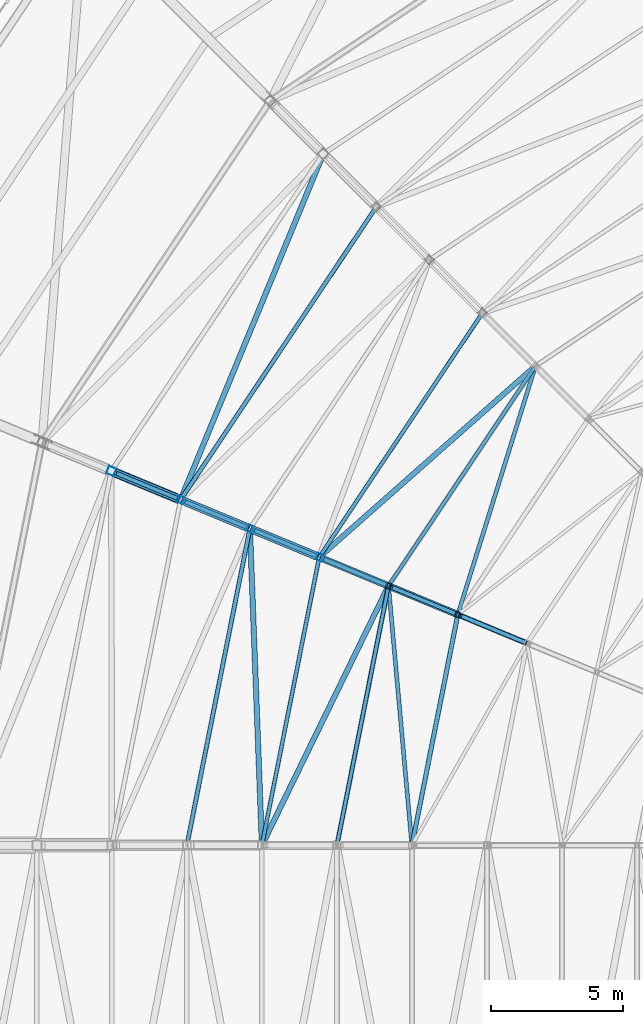
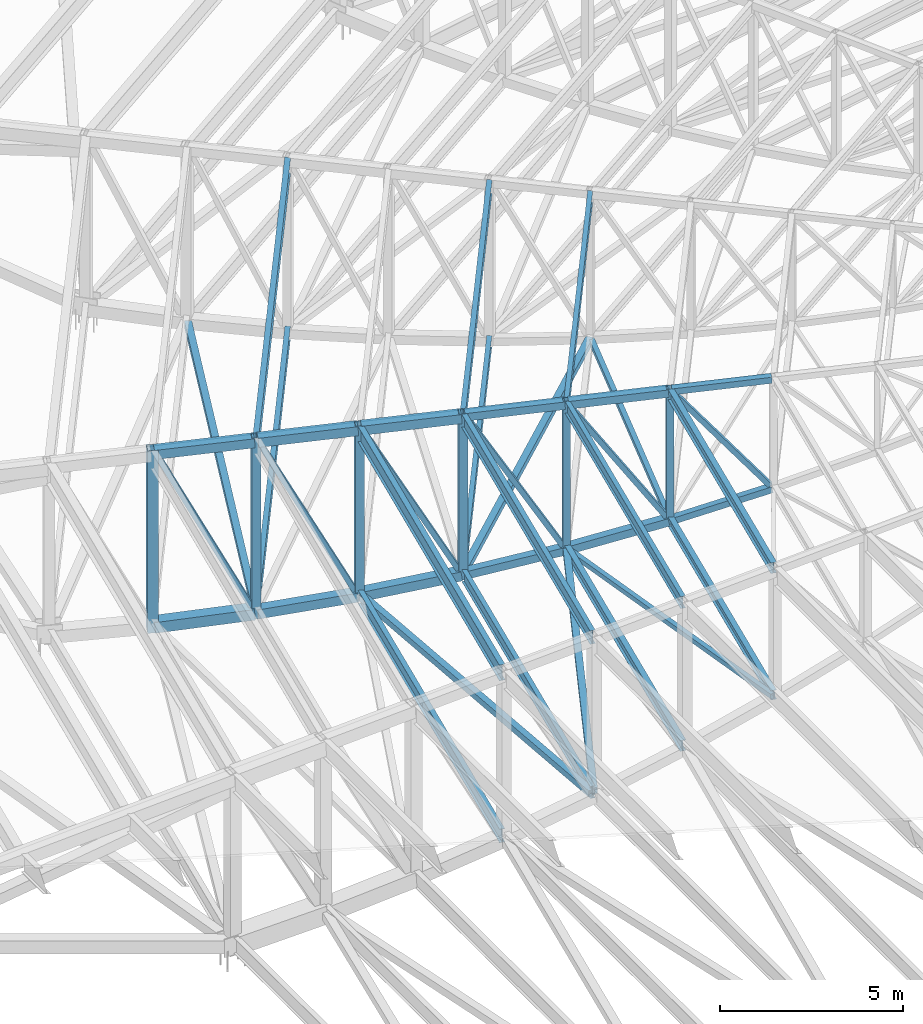
# One storey, part 68 of 278: 25 members, 18 beams.
"""IFC4 building model written with IfcOpenShell, lengths in metres."""

from ifc_helpers import new_model, si_unit, direction, frame, origin, origin_2d, place, context, subcontext, project, spatial, hollow_rectangle, i_section, extrude, material, material_profile, profile_set, type_object, element, save


model = new_model("IFC4")

# Units and contexts
model_context = context("Model", 3, precision=1e-05, world=origin(), true_north=direction((0.0, 1.0)))
body_context = subcontext(model_context, "Body", "Model", "MODEL_VIEW")
ifc_project = project(units=[si_unit("LENGTHUNIT", "METRE"), si_unit("AREAUNIT", "SQUARE_METRE"), si_unit("VOLUMEUNIT", "CUBIC_METRE"), si_unit("PLANEANGLEUNIT", "RADIAN"), si_unit("MASSUNIT", "GRAM", prefix="KILO")], contexts=[model_context])

# Site, building, storey
site_placement = place(None, origin())
site = spatial("IfcSite", under=ifc_project, at=site_placement, CompositionType="ELEMENT")
building_placement = place(site_placement, origin())
building = spatial("IfcBuilding", under=site, at=building_placement, Name="Ogive Plaza Stadium", CompositionType="ELEMENT")
storey_placement = place(building_placement, frame((0.0, 0.0, 29.0)))
storey = spatial("IfcBuildingStorey", under=building, at=storey_placement, Name="Roof", CompositionType="ELEMENT", Elevation=29.0)

# Members
ifc_material_1 = material(Name="Steel ASTM A500 Grade C", Category="steel")
ifc_material_profile_1 = material_profile(ifc_material_1, hollow_rectangle(XDim=0.15234375, YDim=0.15234375, WallThickness=0.005859375, at=origin_2d()), Name="HSS6X6X1/4")
ifc_profile_set_1 = profile_set([ifc_material_profile_1], Name="Steel ASTM A500 Grade C")
member_type_1 = type_object("IfcMemberType", Name="Roof plan brace HSS6X6X1/4", PredefinedType="BRACE", material=ifc_profile_set_1)
member_1_placement = place(storey_placement, frame((-56.909423828125, 52.60400390625, 2.4326171875), z_axis=(-0.089721773876, 0.993414799326, -0.071253349206), x_axis=(-0.995946245829, -0.089950405331, 0.0)))
element("IfcMember", 1, at=member_1_placement, inside=storey, type_object=member_type_1, Name="ROOF BRACE B28 5", PredefinedType="BRACE", context=body_context, shape_type="SweptSolid", body=[
    extrude(hollow_rectangle(XDim=0.15234375, YDim=0.15234375, WallThickness=0.005859375, at=origin_2d()), origin(), (0.0, 0.0, 1.0), 9.689697265625),
])
member_2_placement = place(storey_placement, frame((-55.13330078125, 61.3388671875, 2.434326171875), z_axis=(0.297280996197, 0.952128458571, -0.071241895538), x_axis=(-0.954553915167, 0.29803829123, 0.0)))
element("IfcMember", 2, at=member_2_placement, inside=storey, type_object=member_type_1, Name="ROOF BRACE B29 5", PredefinedType="BRACE", context=body_context, shape_type="SweptSolid", body=[
    extrude(hollow_rectangle(XDim=0.15234375, YDim=0.15234375, WallThickness=0.005859375, at=origin_2d()), origin(), (0.0, 0.0, 1.0), 9.71533203125),
])
ifc_material_2 = material(Name="Steel ASTM A500 Grade C", Category="steel")
ifc_material_profile_2 = material_profile(ifc_material_2, hollow_rectangle(XDim=0.203125, YDim=0.203125, WallThickness=0.0087890625, at=origin_2d()), Name="HSS8X8X3/8")
ifc_profile_set_2 = profile_set([ifc_material_profile_2], Name="Steel ASTM A500 Grade C")
member_type_2 = type_object("IfcMemberType", Name="Roof plan brace HSS8X8X3/8", PredefinedType="BRACE", material=ifc_profile_set_2)
member_3_placement = place(storey_placement, frame((-57.82421875, 62.283935546875, 1.729248046875), z_axis=(-0.438102005766, -0.89751424852, -0.050346859366), x_axis=(0.89865392799, -0.438658315443, 0.0)))
element("IfcMember", 3, at=member_3_placement, inside=storey, type_object=member_type_2, Name="ROOF BRACE B28 6", PredefinedType="BRACE", context=body_context, shape_type="SweptSolid", body=[
    extrude(hollow_rectangle(XDim=0.203125, YDim=0.203125, WallThickness=0.0087890625, at=origin_2d()), origin(), (0.0, 0.0, 1.0), 10.7119140625),
])
member_4_placement = place(storey_placement, frame((-62.604736328125, 52.626220703125, 1.17578125), z_axis=(-0.037835948464, 0.998586929303, -0.037317363644), x_axis=(-0.999282965258, -0.03786232091, 0.0)))
element("IfcMember", 4, at=member_4_placement, inside=storey, type_object=member_type_2, Name="ROOF BRACE B28 7", PredefinedType="BRACE", context=body_context, shape_type="SweptSolid", body=[
    extrude(hollow_rectangle(XDim=0.203125, YDim=0.203125, WallThickness=0.0087890625, at=origin_2d()), origin(), (0.0, 0.0, 1.0), 11.76953125),
])
member_5_placement = place(storey_placement, frame((-52.266357421875, 70.65625, 1.729248046875), z_axis=(-0.748227023619, -0.661529433752, -0.050350068578), x_axis=(0.662369562827, -0.74917725689, 0.0)))
element("IfcMember", 5, at=member_5_placement, inside=storey, type_object=member_type_2, Name="ROOF BRACE B29 6", PredefinedType="BRACE", context=body_context, shape_type="SweptSolid", body=[
    extrude(hollow_rectangle(XDim=0.203125, YDim=0.203125, WallThickness=0.0087890625, at=origin_2d()), origin(), (0.0, 0.0, 1.0), 10.740234375),
])
member_6_placement = place(storey_placement, frame((-65.652099609375, 65.7158203125, 0.43359375), z_axis=(0.381221848811, 0.924408703201, -0.011766538784), x_axis=(-0.924472702703, 0.381248241907, 0.0)))
element("IfcMember", 6, at=member_6_placement, inside=storey, type_object=member_type_2, Name="ROOF BRACE B29 9", PredefinedType="BRACE", context=body_context, shape_type="SweptSolid", body=[
    extrude(hollow_rectangle(XDim=0.203125, YDim=0.203125, WallThickness=0.0087890625, at=origin_2d()), origin(), (0.0, 0.0, 1.0), 13.943115234375),
])
ifc_material_3 = material(Name="Steel ASTM A992 Grade 50", Category="steel")
ifc_material_profile_3 = material_profile(ifc_material_3, i_section(OverallWidth=0.164794921875, OverallDepth=0.310302734375, WebThickness=0.005859375, FlangeThickness=0.009765625, at=origin_2d()), Name="W12X26")
ifc_profile_set_3 = profile_set([ifc_material_profile_3], Name="Steel ASTM A992 Grade 50")
member_type_3 = type_object("IfcMemberType", Name="Roof plan strut W12X26", PredefinedType="STRUT", material=ifc_profile_set_3)
member_7_placement = place(storey_placement, frame((-56.87744140625, 52.61376953125, 2.43994140625), z_axis=(0.195104879523, 0.980782384623, 0.0), x_axis=(-0.980782384623, 0.195104879523, 0.0)))
element("IfcMember", 7, at=member_7_placement, inside=storey, type_object=member_type_3, Name="ROOF STRUT B28 4", PredefinedType="STRUT", context=body_context, shape_type="SweptSolid", body=[
    extrude(i_section(OverallWidth=0.164794921875, OverallDepth=0.310302734375, WebThickness=0.005859375, FlangeThickness=0.009765625, at=origin_2d()), origin(), (0.0, 0.0, 1.0), 8.729248046875),
])
ifc_material_4 = material(Name="Steel ASTM A992 Grade 50", Category="steel")
ifc_material_profile_4 = material_profile(ifc_material_4, i_section(OverallWidth=0.17138671875, OverallDepth=0.35498046875, WebThickness=0.00732421875, FlangeThickness=0.011474609375, at=origin_2d()), Name="W14X34")
ifc_profile_set_4 = profile_set([ifc_material_profile_4], Name="Steel ASTM A992 Grade 50")
member_type_4 = type_object("IfcMemberType", Name="Roof plan strut W14X34", PredefinedType="STRUT", material=ifc_profile_set_4)
member_8_placement = place(storey_placement, frame((-59.72216796875, 52.6396484375, 1.733154296875), z_axis=(0.19508268848, 0.980786798777, 0.0), x_axis=(-0.980786798777, 0.19508268848, 0.0)))
element("IfcMember", 8, at=member_8_placement, inside=storey, type_object=member_type_4, Name="ROOF STRUT B28 5", PredefinedType="STRUT", context=body_context, shape_type="SweptSolid", body=[
    extrude(i_section(OverallWidth=0.17138671875, OverallDepth=0.35498046875, WebThickness=0.00732421875, FlangeThickness=0.011474609375, at=origin_2d()), origin(), (0.0, 0.0, 1.0), 9.81396484375),
])
ifc_material_5 = material(Name="Steel ASTM A992 Grade 50", Category="steel")
ifc_material_profile_5 = material_profile(ifc_material_5, i_section(OverallWidth=0.140380859375, OverallDepth=0.4033203125, WebThickness=0.007080078125, FlangeThickness=0.01123046875, at=origin_2d()), Name="W16X31")
ifc_profile_set_5 = profile_set([ifc_material_profile_5], Name="Steel ASTM A992 Grade 50")
member_type_5 = type_object("IfcMemberType", Name="Roof plan strut W16X31", PredefinedType="STRUT", material=ifc_profile_set_5)
member_9_placement = place(storey_placement, frame((-62.57275390625, 52.63671875, 1.180419921875), z_axis=(0.195087168164, 0.980785907738, 0.0), x_axis=(-0.980785907738, 0.195087168164, 0.0)))
element("IfcMember", 9, at=member_9_placement, inside=storey, type_object=member_type_5, Name="ROOF STRUT B28 6", PredefinedType="STRUT", context=body_context, shape_type="SweptSolid", body=[
    extrude(i_section(OverallWidth=0.140380859375, OverallDepth=0.4033203125, WebThickness=0.007080078125, FlangeThickness=0.01123046875, at=origin_2d()), origin(), (0.0, 0.0, 1.0), 10.90625),
])
member_10_placement = place(storey_placement, frame((-60.35986328125, 63.5390625, 1.180419921875), z_axis=(0.555560551847, 0.831476080974, 0.0), x_axis=(-0.831476080974, 0.555560551847, 0.0)))
element("IfcMember", 10, at=member_10_placement, inside=storey, type_object=member_type_5, Name="ROOF STRUT B29 6", PredefinedType="STRUT", context=body_context, shape_type="SweptSolid", body=[
    extrude(i_section(OverallWidth=0.140380859375, OverallDepth=0.4033203125, WebThickness=0.007080078125, FlangeThickness=0.01123046875, at=origin_2d()), origin(), (0.0, 0.0, 1.0), 10.93212890625),
])
ifc_material_6 = material(Name="Steel ASTM A992 Grade 50", Category="steel")
ifc_material_profile_6 = material_profile(ifc_material_6, i_section(OverallWidth=0.15234375, OverallDepth=0.449462890625, WebThickness=0.007568359375, FlangeThickness=0.0107421875, at=origin_2d()), Name="W18X35")
ifc_profile_set_6 = profile_set([ifc_material_profile_6], Name="Steel ASTM A992 Grade 50")
member_type_6 = type_object("IfcMemberType", Name="Roof plan strut W18X35", PredefinedType="STRUT", material=ifc_profile_set_6)
member_11_placement = place(storey_placement, frame((-65.422607421875, 52.637939453125, 0.730712890625), z_axis=(0.195096207281, 0.980784109733, 0.0), x_axis=(-0.980784109733, 0.195096207281, 0.0)))
element("IfcMember", 11, at=member_11_placement, inside=storey, type_object=member_type_6, Name="ROOF STRUT B28 7", PredefinedType="STRUT", context=body_context, shape_type="SweptSolid", body=[
    extrude(i_section(OverallWidth=0.15234375, OverallDepth=0.449462890625, WebThickness=0.007568359375, FlangeThickness=0.0107421875, at=origin_2d()), origin(), (0.0, 0.0, 1.0), 12.015869140625),
])
member_12_placement = place(storey_placement, frame((-65.62548828125, 65.721435546875, 0.434814453125), z_axis=(0.555582209578, 0.831461609697, 0.0), x_axis=(-0.831461609697, 0.555582209578, 0.0)))
element("IfcMember", 12, at=member_12_placement, inside=storey, type_object=member_type_6, Name="ROOF STRUT B29 8", PredefinedType="STRUT", context=body_context, shape_type="SweptSolid", body=[
    extrude(i_section(OverallWidth=0.15234375, OverallDepth=0.449462890625, WebThickness=0.007568359375, FlangeThickness=0.0107421875, at=origin_2d()), origin(), (0.0, 0.0, 1.0), 13.154052734375),
])
ifc_material_7 = material(Name="Steel ASTM A992 Grade 50", Category="steel")
ifc_material_profile_7 = material_profile(ifc_material_7, i_section(OverallWidth=0.17138671875, OverallDepth=0.35498046875, WebThickness=0.00732421875, FlangeThickness=0.011474609375, at=origin_2d()), Name="W14X34")
ifc_profile_set_7 = profile_set([ifc_material_profile_7], Name="Steel ASTM A992 Grade 50")
member_type_7 = type_object("IfcMemberType", Name="Roof purlin W14X34", PredefinedType="PURLIN", material=ifc_profile_set_7)
member_13_placement = place(storey_placement, frame((-56.877197265625, 52.6142578125, 6.677490234375), z_axis=(0.195077827826, 0.980787765569, 0.0), x_axis=(-0.980787765569, 0.195077827826, 0.0)))
element("IfcMember", 13, at=member_13_placement, inside=storey, type_object=member_type_7, Name="ROOF PURLIN B28 4", PredefinedType="PURLIN", context=body_context, shape_type="SweptSolid", body=[
    extrude(i_section(OverallWidth=0.17138671875, OverallDepth=0.35498046875, WebThickness=0.00732421875, FlangeThickness=0.011474609375, at=origin_2d()), origin(), (0.0, 0.0, 1.0), 8.72802734375),
])
ifc_material_8 = material(Name="Steel ASTM A992 Grade 50", Category="steel")
ifc_material_profile_8 = material_profile(ifc_material_8, i_section(OverallWidth=0.140380859375, OverallDepth=0.4033203125, WebThickness=0.007080078125, FlangeThickness=0.01123046875, at=origin_2d()), Name="W16X31")
ifc_profile_set_8 = profile_set([ifc_material_profile_8], Name="Steel ASTM A992 Grade 50")
member_type_8 = type_object("IfcMemberType", Name="Roof purlin W16X31", PredefinedType="PURLIN", material=ifc_profile_set_8)
member_14_placement = place(storey_placement, frame((-59.722900390625, 52.63671875, 6.5107421875), z_axis=(0.195107258144, 0.980781911446, 0.0), x_axis=(-0.980781911446, 0.195107258144, 0.0)))
element("IfcMember", 14, at=member_14_placement, inside=storey, type_object=member_type_8, Name="ROOF PURLIN B28 5", PredefinedType="PURLIN", context=body_context, shape_type="SweptSolid", body=[
    extrude(i_section(OverallWidth=0.140380859375, OverallDepth=0.4033203125, WebThickness=0.007080078125, FlangeThickness=0.01123046875, at=origin_2d()), origin(), (0.0, 0.0, 1.0), 9.8203125),
])
member_15_placement = place(storey_placement, frame((-57.7412109375, 62.427001953125, 6.5107421875), z_axis=(0.555573071416, 0.831467715739, 0.0), x_axis=(-0.831467715739, 0.555573071416, 0.0)))
element("IfcMember", 15, at=member_15_placement, inside=storey, type_object=member_type_8, Name="ROOF PURLIN B29 5", PredefinedType="PURLIN", context=body_context, shape_type="SweptSolid", body=[
    extrude(i_section(OverallWidth=0.140380859375, OverallDepth=0.4033203125, WebThickness=0.007080078125, FlangeThickness=0.01123046875, at=origin_2d()), origin(), (0.0, 0.0, 1.0), 9.8720703125),
])
ifc_material_9 = material(Name="Steel ASTM A992 Grade 50", Category="steel")
ifc_material_profile_9 = material_profile(ifc_material_9, i_section(OverallWidth=0.15234375, OverallDepth=0.449462890625, WebThickness=0.007568359375, FlangeThickness=0.0107421875, at=origin_2d()), Name="W18X35")
ifc_profile_set_9 = profile_set([ifc_material_profile_9], Name="Steel ASTM A992 Grade 50")
member_type_9 = type_object("IfcMemberType", Name="Roof purlin W18X35", PredefinedType="PURLIN", material=ifc_profile_set_9)
member_16_placement = place(storey_placement, frame((-62.572509765625, 52.637939453125, 6.34521484375), z_axis=(0.195086933188, 0.980785954477, 0.0), x_axis=(-0.980785954477, 0.195086933188, 0.0)))
element("IfcMember", 16, at=member_16_placement, inside=storey, type_object=member_type_9, Name="ROOF PURLIN B28 6", PredefinedType="PURLIN", context=body_context, shape_type="SweptSolid", body=[
    extrude(i_section(OverallWidth=0.15234375, OverallDepth=0.449462890625, WebThickness=0.007568359375, FlangeThickness=0.0107421875, at=origin_2d()), origin(), (0.0, 0.0, 1.0), 10.90380859375),
])
member_17_placement = place(storey_placement, frame((-60.359375, 63.5400390625, 6.34521484375), z_axis=(0.555581326448, 0.831462199803, 0.0), x_axis=(-0.831462199803, 0.555581326448, 0.0)))
element("IfcMember", 17, at=member_17_placement, inside=storey, type_object=member_type_9, Name="ROOF PURLIN B29 6", PredefinedType="PURLIN", context=body_context, shape_type="SweptSolid", body=[
    extrude(i_section(OverallWidth=0.15234375, OverallDepth=0.449462890625, WebThickness=0.007568359375, FlangeThickness=0.0107421875, at=origin_2d()), origin(), (0.0, 0.0, 1.0), 10.929931640625),
])
ifc_material_10 = material(Name="Steel ASTM A992 Grade 50", Category="steel")
ifc_material_profile_10 = material_profile(ifc_material_10, i_section(OverallWidth=0.1650390625, OverallDepth=0.524658203125, WebThickness=0.0087890625, FlangeThickness=0.011474609375, at=origin_2d()), Name="W21X44")
ifc_profile_set_10 = profile_set([ifc_material_profile_10], Name="Steel ASTM A992 Grade 50")
member_type_10 = type_object("IfcMemberType", Name="Roof purlin W21X44", PredefinedType="PURLIN", material=ifc_profile_set_10)
member_18_placement = place(storey_placement, frame((-65.42236328125, 52.63916015625, 6.1650390625), z_axis=(0.195095995879, 0.980784151785, 0.0), x_axis=(-0.980784151785, 0.195095995879, 0.0)))
element("IfcMember", 18, at=member_18_placement, inside=storey, type_object=member_type_10, Name="ROOF PURLIN B28 7", PredefinedType="PURLIN", context=body_context, shape_type="SweptSolid", body=[
    extrude(i_section(OverallWidth=0.1650390625, OverallDepth=0.524658203125, WebThickness=0.0087890625, FlangeThickness=0.011474609375, at=origin_2d()), origin(), (0.0, 0.0, 1.0), 12.013427734375),
])
member_19_placement = place(storey_placement, frame((-65.624755859375, 65.722412109375, 6.022705078125), z_axis=(0.555573811188, 0.831467221436, 0.0), x_axis=(-0.831467221436, 0.555573811188, 0.0)))
element("IfcMember", 19, at=member_19_placement, inside=storey, type_object=member_type_10, Name="ROOF PURLIN B29 8", PredefinedType="PURLIN", context=body_context, shape_type="SweptSolid", body=[
    extrude(i_section(OverallWidth=0.1650390625, OverallDepth=0.524658203125, WebThickness=0.0087890625, FlangeThickness=0.011474609375, at=origin_2d()), origin(), (0.0, 0.0, 1.0), 13.151611328125),
])

# Beams
ifc_material_11 = material(Name="Steel ASTM A500 Grade C", Category="steel")
ifc_material_profile_11 = material_profile(ifc_material_11, hollow_rectangle(XDim=0.25390625, YDim=0.25390625, WallThickness=0.01171875, at=origin_2d()), Name="HSS10X10X1/2")
ifc_profile_set_11 = profile_set([ifc_material_profile_11], Name="Steel ASTM A500 Grade C")
beam_type_1 = type_object("IfcBeamType", Name="Roof truss bottom chord HSS10X10X1/2", PredefinedType="BEAM", material=ifc_profile_set_11)
beam_1_placement = place(storey_placement, frame((-55.195556640625, 61.279541015625, 2.433349609375), z_axis=(-0.89673257633, 0.371439859665, -0.240630665544), x_axis=(-0.382684368678, -0.923879144677, 0.0)))
element("IfcBeam", 20, at=beam_1_placement, inside=storey, type_object=beam_type_1, Name="ROOF TRUSS T29 BOTTOM CHORD 5", PredefinedType="BEAM", context=body_context, shape_type="SweptSolid", body=[
    extrude(hollow_rectangle(XDim=0.25390625, YDim=0.25390625, WallThickness=0.01171875, at=origin_2d()), origin(), (0.0, 0.0, 1.0), 2.849853515625),
])
beam_2_placement = place(storey_placement, frame((-57.833251953125, 62.3720703125, 1.726318359375), z_axis=(-0.905437709043, 0.375020513968, -0.198852128843), x_axis=(-0.382662472935, -0.923888213913, 0.0)))
element("IfcBeam", 21, at=beam_2_placement, inside=storey, type_object=beam_type_1, Name="ROOF TRUSS T29 BOTTOM CHORD 6", PredefinedType="BEAM", context=body_context, shape_type="SweptSolid", body=[
    extrude(hollow_rectangle(XDim=0.25390625, YDim=0.25390625, WallThickness=0.01171875, at=origin_2d()), origin(), (0.0, 0.0, 1.0), 2.80908203125),
])
ifc_material_12 = material(Name="Steel ASTM A500 Grade C", Category="steel")
ifc_material_profile_12 = material_profile(ifc_material_12, hollow_rectangle(XDim=0.3046875, YDim=0.3046875, WallThickness=0.0146484375, at=origin_2d()), Name="HSS12X12X5/8")
ifc_profile_set_12 = profile_set([ifc_material_profile_12], Name="Steel ASTM A500 Grade C")
beam_type_2 = type_object("IfcBeamType", Name="Roof truss bottom chord HSS12X12X5/8", PredefinedType="BEAM", material=ifc_profile_set_12)
beam_3_placement = place(storey_placement, frame((-60.46923828125, 63.4638671875, 1.17431640625), z_axis=(-0.912570809119, 0.378060038258, -0.15583685641), x_axis=(-0.382735997737, -0.923857757469, 0.0)))
element("IfcBeam", 22, at=beam_3_placement, inside=storey, type_object=beam_type_2, Name="ROOF TRUSS T29 BOTTOM CHORD 7", PredefinedType="BEAM", context=body_context, shape_type="SweptSolid", body=[
    extrude(hollow_rectangle(XDim=0.3046875, YDim=0.3046875, WallThickness=0.0146484375, at=origin_2d()), origin(), (0.0, 0.0, 1.0), 2.783935546875),
])
beam_4_placement = place(storey_placement, frame((-63.102294921875, 64.554443359375, 0.72607421875), z_axis=(-0.918040635639, 0.380326079208, -0.112042245557), x_axis=(-0.382735997737, -0.923857757469, 0.0)))
element("IfcBeam", 23, at=beam_4_placement, inside=storey, type_object=beam_type_2, Name="ROOF TRUSS T29 BOTTOM CHORD 8", PredefinedType="BEAM", context=body_context, shape_type="SweptSolid", body=[
    extrude(hollow_rectangle(XDim=0.3046875, YDim=0.3046875, WallThickness=0.0146484375, at=origin_2d()), origin(), (0.0, 0.0, 1.0), 2.767333984375),
])
ifc_material_13 = material(Name="Steel ASTM A500 Grade C", Category="steel")
ifc_material_profile_13 = material_profile(ifc_material_13, hollow_rectangle(XDim=0.355712890625, YDim=0.355712890625, WallThickness=0.0146484375, at=origin_2d()), Name="HSS14X14X5/8")
ifc_profile_set_13 = profile_set([ifc_material_profile_13], Name="Steel ASTM A500 Grade C")
beam_type_3 = type_object("IfcBeamType", Name="Roof truss bottom chord HSS14X14X5/8", PredefinedType="BEAM", material=ifc_profile_set_13)
beam_5_placement = place(storey_placement, frame((-65.7353515625, 65.645263671875, 0.431884765625), z_axis=(-0.92178205255, 0.381787492455, -0.067499320012), x_axis=(-0.382660217904, -0.923889147914, 0.0)))
element("IfcBeam", 24, at=beam_5_placement, inside=storey, type_object=beam_type_3, Name="ROOF TRUSS T29 BOTTOM CHORD 9", PredefinedType="BEAM", context=body_context, shape_type="SweptSolid", body=[
    extrude(hollow_rectangle(XDim=0.355712890625, YDim=0.355712890625, WallThickness=0.0146484375, at=origin_2d()), origin(), (0.0, 0.0, 1.0), 2.756103515625),
])
ifc_material_14 = material(Name="Steel ASTM A500 Grade C", Category="steel")
ifc_material_profile_14 = material_profile(ifc_material_14, hollow_rectangle(XDim=0.203125, YDim=0.203125, WallThickness=0.01171875, at=origin_2d()), Name="HSS8X8X1/2")
ifc_profile_set_14 = profile_set([ifc_material_profile_14], Name="Steel ASTM A500 Grade C")
beam_type_4 = type_object("IfcBeamType", Name="Roof truss bottom chord HSS8X8X1/2", PredefinedType="BEAM", material=ifc_profile_set_14)
beam_6_placement = place(storey_placement, frame((-52.564697265625, 60.189697265625, 3.2412109375), z_axis=(-0.886574426433, 0.36727087962, -0.281243466376), x_axis=(-0.382718768474, -0.923864895024, 0.0)))
element("IfcBeam", 25, at=beam_6_placement, inside=storey, type_object=beam_type_4, Name="ROOF TRUSS T29 BOTTOM CHORD 4", PredefinedType="BEAM", context=body_context, shape_type="SweptSolid", body=[
    extrude(hollow_rectangle(XDim=0.203125, YDim=0.203125, WallThickness=0.01171875, at=origin_2d()), origin(), (0.0, 0.0, 1.0), 2.877685546875),
])

# Members
ifc_material_15 = material(Name="Steel ASTM A500 Grade C", Category="steel")
ifc_material_profile_15 = material_profile(ifc_material_15, hollow_rectangle(XDim=0.15234375, YDim=0.15234375, WallThickness=0.005859375, at=origin_2d()), Name="HSS6X6X1/4")
ifc_profile_set_15 = profile_set([ifc_material_profile_15], Name="Steel ASTM A500 Grade C")
member_type_11 = type_object("IfcMemberType", Name="Roof truss diagonal HSS6X6X1/4", PredefinedType="BRACE", material=ifc_profile_set_15)
member_20_placement = place(storey_placement, frame((-52.61767578125, 60.211669921875, 3.3515625), z_axis=(-0.578013230123, 0.239434593828, 0.780110108306), x_axis=(-0.382702088427, -0.923871804697, 0.0)))
element("IfcMember", 26, at=member_20_placement, inside=storey, type_object=member_type_11, Name="ROOF TRUSS T29 DIAGONAL 4", PredefinedType="BRACE", context=body_context, shape_type="SweptSolid", body=[
    extrude(hollow_rectangle(XDim=0.15234375, YDim=0.15234375, WallThickness=0.005859375, at=origin_2d()), origin(), (0.0, 0.0, 1.0), 4.23046875),
])
member_21_placement = place(storey_placement, frame((-55.250732421875, 61.30224609375, 2.56689453125), z_axis=(-0.519572207016, 0.215226146856, 0.826875097827), x_axis=(-0.382702088427, -0.923871804697, 0.0)))
element("IfcMember", 27, at=member_21_placement, inside=storey, type_object=member_type_11, Name="ROOF TRUSS T29 DIAGONAL 5", PredefinedType="BRACE", context=body_context, shape_type="SweptSolid", body=[
    extrude(hollow_rectangle(XDim=0.15234375, YDim=0.15234375, WallThickness=0.005859375, at=origin_2d()), origin(), (0.0, 0.0, 1.0), 4.706298828125),
])
ifc_material_16 = material(Name="Steel ASTM A500 Grade C", Category="steel")
ifc_material_profile_16 = material_profile(ifc_material_16, hollow_rectangle(XDim=0.15234375, YDim=0.15234375, WallThickness=0.0087890625, at=origin_2d()), Name="HSS6X6X3/8")
ifc_profile_set_16 = profile_set([ifc_material_profile_16], Name="Steel ASTM A500 Grade C")
member_type_12 = type_object("IfcMemberType", Name="Roof truss diagonal HSS6X6X3/8", PredefinedType="BRACE", material=ifc_profile_set_16)
member_22_placement = place(storey_placement, frame((-57.8837890625, 62.39306640625, 1.8603515625), z_axis=(-0.468491524227, 0.194055612203, 0.861892169067), x_axis=(-0.382683548526, -0.923879484396, 0.0)))
element("IfcMember", 28, at=member_22_placement, inside=storey, type_object=member_type_12, Name="ROOF TRUSS T29 DIAGONAL 6", PredefinedType="BRACE", context=body_context, shape_type="SweptSolid", body=[
    extrude(hollow_rectangle(XDim=0.15234375, YDim=0.15234375, WallThickness=0.0087890625, at=origin_2d()), origin(), (0.0, 0.0, 1.0), 5.16943359375),
])
member_23_placement = place(storey_placement, frame((-60.540283203125, 63.493408203125, 1.332763671875), z_axis=(-0.440218602007, 0.18233402805, 0.879182509302), x_axis=(-0.382664645806, -0.923887313935, 0.0)))
element("IfcMember", 29, at=member_23_placement, inside=storey, type_object=member_type_12, Name="ROOF TRUSS T29 DIAGONAL 7", PredefinedType="BRACE", context=body_context, shape_type="SweptSolid", body=[
    extrude(hollow_rectangle(XDim=0.15234375, YDim=0.15234375, WallThickness=0.0087890625, at=origin_2d()), origin(), (0.0, 0.0, 1.0), 5.4482421875),
])
member_24_placement = place(storey_placement, frame((-63.17333984375, 64.583984375, 0.883056640625), z_axis=(-0.419293904541, 0.17366723306, 0.891084908287), x_axis=(-0.382664645806, -0.923887313935, 0.0)))
element("IfcMember", 30, at=member_24_placement, inside=storey, type_object=member_type_12, Name="ROOF TRUSS T29 DIAGONAL 8", PredefinedType="BRACE", context=body_context, shape_type="SweptSolid", body=[
    extrude(hollow_rectangle(XDim=0.15234375, YDim=0.15234375, WallThickness=0.0087890625, at=origin_2d()), origin(), (0.0, 0.0, 1.0), 5.72021484375),
])
member_25_placement = place(storey_placement, frame((-65.806396484375, 65.674560546875, 0.612548828125), z_axis=(-0.407847472246, 0.168958194197, 0.897281208984), x_axis=(-0.382726432205, -0.923861720222, 0.0)))
element("IfcMember", 31, at=member_25_placement, inside=storey, type_object=member_type_12, Name="ROOF TRUSS T29 DIAGONAL 9", PredefinedType="BRACE", context=body_context, shape_type="SweptSolid", body=[
    extrude(hollow_rectangle(XDim=0.15234375, YDim=0.15234375, WallThickness=0.0087890625, at=origin_2d()), origin(), (0.0, 0.0, 1.0), 5.8232421875),
])

# Beams
ifc_material_17 = material(Name="Steel ASTM A500 Grade C", Category="steel")
ifc_material_profile_17 = material_profile(ifc_material_17, hollow_rectangle(XDim=0.25390625, YDim=0.25390625, WallThickness=0.01171875, at=origin_2d()), Name="HSS10X10X1/2")
ifc_profile_set_17 = profile_set([ifc_material_profile_17], Name="Steel ASTM A500 Grade C")
beam_type_5 = type_object("IfcBeamType", Name="Roof truss post HSS10X10X1/2", PredefinedType="BEAM", material=ifc_profile_set_17)
beam_7_placement = place(storey_placement, frame((-60.4228515625, 63.44482421875, 1.028076171875), z_axis=(0.0, 0.0, 1.0), x_axis=(-0.382683432365, -0.923879532511, 0.0)))
element("IfcBeam", 32, at=beam_7_placement, inside=storey, type_object=beam_type_5, Name="ROOF TRUSS T29 POST 7", PredefinedType="BEAM", context=body_context, shape_type="SweptSolid", body=[
    extrude(hollow_rectangle(XDim=0.25390625, YDim=0.25390625, WallThickness=0.01171875, at=origin_2d()), origin(), (0.0, 0.0, 1.0), 5.5419921875),
])
beam_8_placement = place(storey_placement, frame((-63.055908203125, 64.535400390625, 0.578369140625), z_axis=(0.0, 0.0, 1.0), x_axis=(-0.382683432365, -0.923879532511, 0.0)))
element("IfcBeam", 33, at=beam_8_placement, inside=storey, type_object=beam_type_5, Name="ROOF TRUSS T29 POST 8", PredefinedType="BEAM", context=body_context, shape_type="SweptSolid", body=[
    extrude(hollow_rectangle(XDim=0.25390625, YDim=0.25390625, WallThickness=0.01171875, at=origin_2d()), origin(), (0.0, 0.0, 1.0), 5.84912109375),
])
beam_9_placement = place(storey_placement, frame((-65.68896484375, 65.6259765625, 0.257080078125), z_axis=(0.0, 0.0, 1.0), x_axis=(-0.382683432365, -0.923879532511, 0.0)))
element("IfcBeam", 34, at=beam_9_placement, inside=storey, type_object=beam_type_5, Name="ROOF TRUSS T29 POST 9", PredefinedType="BEAM", context=body_context, shape_type="SweptSolid", body=[
    extrude(hollow_rectangle(XDim=0.25390625, YDim=0.25390625, WallThickness=0.01171875, at=origin_2d()), origin(), (0.0, 0.0, 1.0), 6.02783203125),
])
ifc_material_18 = material(Name="Steel ASTM A500 Grade C", Category="steel")
ifc_material_profile_18 = material_profile(ifc_material_18, hollow_rectangle(XDim=0.3046875, YDim=0.3046875, WallThickness=0.01171875, at=origin_2d()), Name="HSS12X12X1/2")
ifc_profile_set_18 = profile_set([ifc_material_profile_18], Name="Steel ASTM A500 Grade C")
beam_type_6 = type_object("IfcBeamType", Name="Roof truss post HSS12X12X1/2", PredefinedType="BEAM", material=ifc_profile_set_18)
beam_10_placement = place(storey_placement, frame((-68.322021484375, 66.716796875, 0.064208984375), z_axis=(0.0, 0.0, 1.0), x_axis=(-0.382683432365, -0.923879532511, 0.0)))
element("IfcBeam", 35, at=beam_10_placement, inside=storey, type_object=beam_type_6, Name="ROOF TRUSS T29 POST 10", PredefinedType="BEAM", context=body_context, shape_type="SweptSolid", body=[
    extrude(hollow_rectangle(XDim=0.3046875, YDim=0.3046875, WallThickness=0.01171875, at=origin_2d()), origin(), (0.0, 0.0, 1.0), 6.078369140625),
])
ifc_material_19 = material(Name="Steel ASTM A500 Grade C", Category="steel")
ifc_material_profile_19 = material_profile(ifc_material_19, hollow_rectangle(XDim=0.203125, YDim=0.203125, WallThickness=0.0087890625, at=origin_2d()), Name="HSS8X8X3/8")
ifc_profile_set_19 = profile_set([ifc_material_profile_19], Name="Steel ASTM A500 Grade C")
beam_type_7 = type_object("IfcBeamType", Name="Roof truss post HSS8X8X3/8", PredefinedType="BEAM", material=ifc_profile_set_19)
beam_11_placement = place(storey_placement, frame((-55.15673828125, 61.263427734375, 2.31298828125), z_axis=(0.0, 0.0, 1.0), x_axis=(-0.382683432365, -0.923879532511, 0.0)))
element("IfcBeam", 36, at=beam_11_placement, inside=storey, type_object=beam_type_7, Name="ROOF TRUSS T29 POST 5", PredefinedType="BEAM", context=body_context, shape_type="SweptSolid", body=[
    extrude(hollow_rectangle(XDim=0.203125, YDim=0.203125, WallThickness=0.0087890625, at=origin_2d()), origin(), (0.0, 0.0, 1.0), 4.5419921875),
])
beam_12_placement = place(storey_placement, frame((-57.789794921875, 62.35400390625, 1.606201171875), z_axis=(0.0, 0.0, 1.0), x_axis=(-0.382683432365, -0.923879532511, 0.0)))
element("IfcBeam", 37, at=beam_12_placement, inside=storey, type_object=beam_type_7, Name="ROOF TRUSS T29 POST 6", PredefinedType="BEAM", context=body_context, shape_type="SweptSolid", body=[
    extrude(hollow_rectangle(XDim=0.203125, YDim=0.203125, WallThickness=0.0087890625, at=origin_2d()), origin(), (0.0, 0.0, 1.0), 5.106201171875),
])
ifc_material_20 = material(Name="Steel ASTM A500 Grade C", Category="steel")
ifc_material_profile_20 = material_profile(ifc_material_20, hollow_rectangle(XDim=0.25390625, YDim=0.25390625, WallThickness=0.0087890625, at=origin_2d()), Name="HSS10X10X3/8")
ifc_profile_set_20 = profile_set([ifc_material_profile_20], Name="Steel ASTM A500 Grade C")
beam_type_8 = type_object("IfcBeamType", Name="Roof truss top chord HSS10X10X3/8", PredefinedType="BEAM", material=ifc_profile_set_20)
beam_13_placement = place(storey_placement, frame((-55.203125, 61.282470703125, 6.725341796875), z_axis=(-0.922705839284, 0.382258780814, -0.049921524843), x_axis=(-0.382735997737, -0.923857757469, 0.0)))
element("IfcBeam", 38, at=beam_13_placement, inside=storey, type_object=beam_type_8, Name="ROOF TRUSS T29 TOP CHORD 5", PredefinedType="BEAM", context=body_context, shape_type="SweptSolid", body=[
    extrude(hollow_rectangle(XDim=0.25390625, YDim=0.25390625, WallThickness=0.0087890625, at=origin_2d()), origin(), (0.0, 0.0, 1.0), 2.75341796875),
])
beam_14_placement = place(storey_placement, frame((-57.836181640625, 62.373291015625, 6.582763671875), z_axis=(-0.922737112453, 0.382183063105, -0.049923216828), x_axis=(-0.382660217904, -0.923889147914, 0.0)))
element("IfcBeam", 39, at=beam_14_placement, inside=storey, type_object=beam_type_8, Name="ROOF TRUSS T29 TOP CHORD 6", PredefinedType="BEAM", context=body_context, shape_type="SweptSolid", body=[
    extrude(hollow_rectangle(XDim=0.25390625, YDim=0.25390625, WallThickness=0.0087890625, at=origin_2d()), origin(), (0.0, 0.0, 1.0), 2.753173828125),
])
ifc_material_21 = material(Name="Steel ASTM A500 Grade C", Category="steel")
ifc_material_profile_21 = material_profile(ifc_material_21, hollow_rectangle(XDim=0.3046875, YDim=0.3046875, WallThickness=0.01171875, at=origin_2d()), Name="HSS12X12X1/2")
ifc_profile_set_21 = profile_set([ifc_material_profile_21], Name="Steel ASTM A500 Grade C")
beam_type_9 = type_object("IfcBeamType", Name="Roof truss top chord HSS12X12X1/2", PredefinedType="BEAM", material=ifc_profile_set_21)
beam_15_placement = place(storey_placement, frame((-65.7353515625, 65.645263671875, 6.1298828125), z_axis=(-0.922737112453, 0.382183063105, -0.049923216828), x_axis=(-0.382660217904, -0.923889147914, 0.0)))
element("IfcBeam", 40, at=beam_15_placement, inside=storey, type_object=beam_type_9, Name="ROOF TRUSS T29 TOP CHORD 9", PredefinedType="BEAM", context=body_context, shape_type="SweptSolid", body=[
    extrude(hollow_rectangle(XDim=0.3046875, YDim=0.3046875, WallThickness=0.01171875, at=origin_2d()), origin(), (0.0, 0.0, 1.0), 2.753173828125),
])
ifc_material_22 = material(Name="Steel ASTM A500 Grade C", Category="steel")
ifc_material_profile_22 = material_profile(ifc_material_22, hollow_rectangle(XDim=0.3046875, YDim=0.3046875, WallThickness=0.0087890625, at=origin_2d()), Name="HSS12X12X3/8")
ifc_profile_set_22 = profile_set([ifc_material_profile_22], Name="Steel ASTM A500 Grade C")
beam_type_10 = type_object("IfcBeamType", Name="Roof truss top chord HSS12X12X3/8", PredefinedType="BEAM", material=ifc_profile_set_22)
for number, where, z_axis, x_axis, name in (
    (41, (-60.46923828125, 63.4638671875, 6.414794921875), (-0.922705839284, 0.382258780814, -0.049921524843), (-0.382735997737, -0.923857757469, 0.0), "ROOF TRUSS T29 TOP CHORD 7"),
    (42, (-63.102294921875, 64.554443359375, 6.2724609375), (-0.922705839284, 0.382258780814, -0.049921524843), (-0.382735997737, -0.923857757469, 0.0), "ROOF TRUSS T29 TOP CHORD 8"),
):
    element("IfcBeam", number, at=place(storey_placement, frame(where, z_axis=z_axis, x_axis=x_axis)), inside=storey, type_object=beam_type_10, Name=name, PredefinedType="BEAM", context=body_context, shape_type="SweptSolid", body=[
        extrude(hollow_rectangle(XDim=0.3046875, YDim=0.3046875, WallThickness=0.0087890625, at=origin_2d()), origin(), (0.0, 0.0, 1.0), 2.75341796875),
    ])
ifc_material_23 = material(Name="Steel ASTM A500 Grade C", Category="steel")
ifc_material_profile_23 = material_profile(ifc_material_23, hollow_rectangle(XDim=0.203125, YDim=0.203125, WallThickness=0.0087890625, at=origin_2d()), Name="HSS8X8X3/8")
ifc_profile_set_23 = profile_set([ifc_material_profile_23], Name="Steel ASTM A500 Grade C")
beam_type_11 = type_object("IfcBeamType", Name="Roof truss top chord HSS8X8X3/8", PredefinedType="BEAM", material=ifc_profile_set_23)
beam_16_placement = place(storey_placement, frame((-52.570068359375, 60.19189453125, 6.893310546875), z_axis=(-0.922705839284, 0.382258780814, -0.049921524843), x_axis=(-0.382735997737, -0.923857757469, 0.0)))
element("IfcBeam", 43, at=beam_16_placement, inside=storey, type_object=beam_type_11, Name="ROOF TRUSS T29 TOP CHORD 4", PredefinedType="BEAM", context=body_context, shape_type="SweptSolid", body=[
    extrude(hollow_rectangle(XDim=0.203125, YDim=0.203125, WallThickness=0.0087890625, at=origin_2d()), origin(), (0.0, 0.0, 1.0), 2.75341796875),
])

save(model, "model.ifc")
